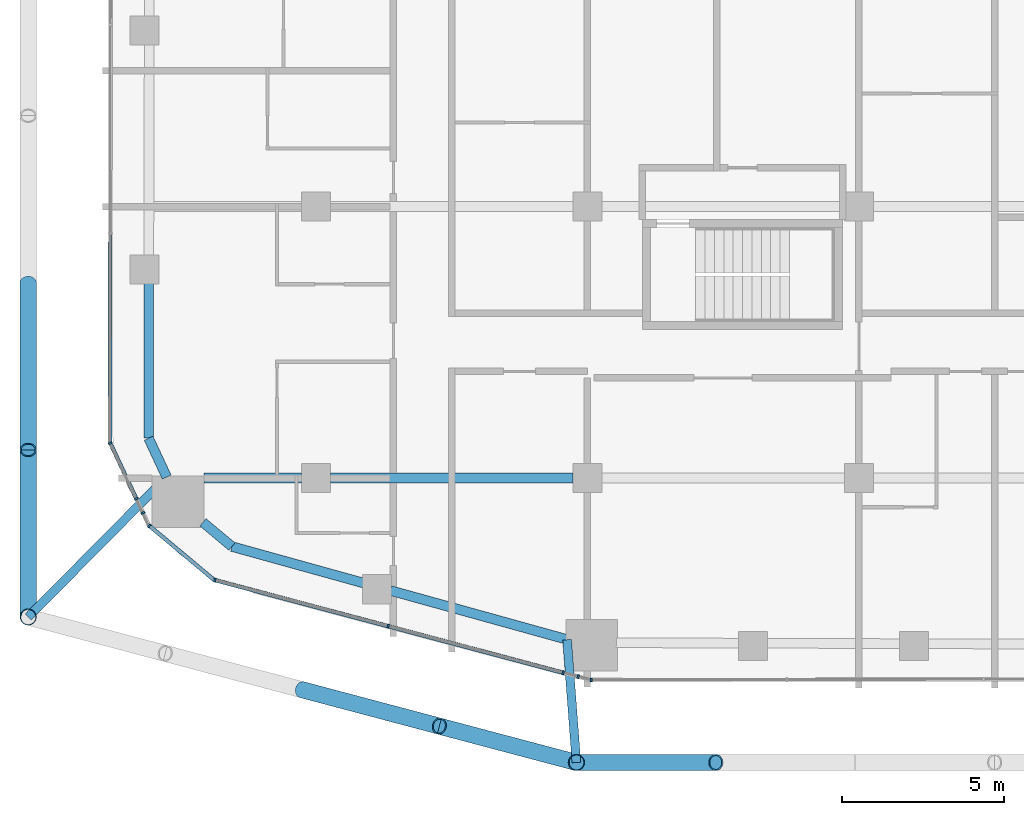
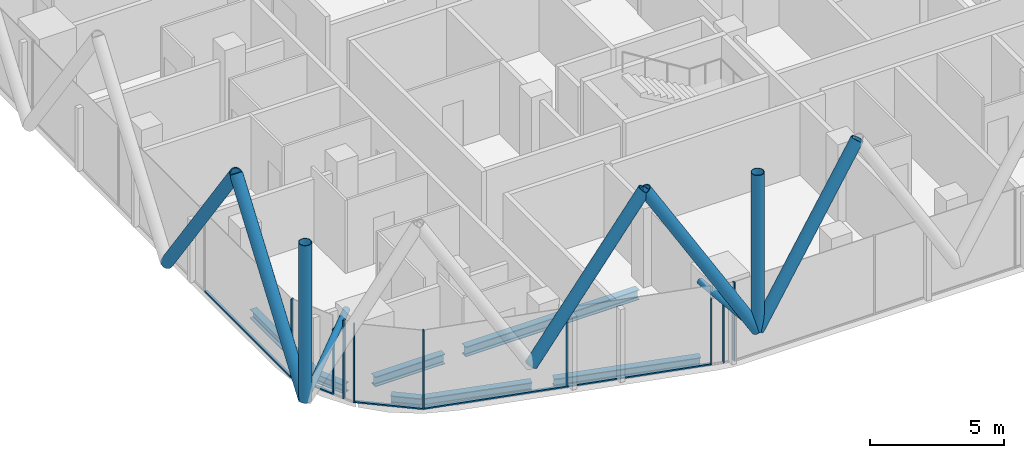
# One storey, part 2 of 33: 23 members, 7 beams, 9 elements without a shape of their own.
"""IFC4 building model written with IfcOpenShell, lengths in metres."""

import ifcopenshell
import ifcopenshell.guid

model = None  # the IFC model being written
_history = None  # IfcOwnerHistory: only IFC2X3 demands one
_inside = {}  # id of a spatial element -> (the spatial element, [elements in it])
_under = {}  # id of a project, library or spatial element -> (it, [spatial elements below it])
_declared = {}  # id of a project -> (the project, [libraries it declares])
_typed = {}  # id of a type object -> (the type object, [elements of that type])
_made_of = {}  # id of a material, layer set ... -> (it, [elements and type objects made of it])


def new_model(schema):
    """Start an empty IFC model of exactly this schema.

    Asked for "IFC4X3", IfcOpenShell would pick the latest addendum, in which some entities
    have other attributes; the version numbers below select the first issue.
    IFC2X3 requires an IfcOwnerHistory on every rooted entity: one is made here for all.
    """
    global model, _history
    if schema == "IFC4X3":
        model = ifcopenshell.file(schema_version=(4, 3, 0, 0))
    else:
        model = ifcopenshell.file(schema=schema)
    _inside.clear()
    _under.clear()
    _declared.clear()
    _typed.clear()
    _made_of.clear()
    _history = None
    if model.schema == "IFC2X3":
        org = make("IfcOrganization", Name="unknown")
        user = make(
            "IfcPersonAndOrganization",
            ThePerson=make("IfcPerson", FamilyName="unknown"),
            TheOrganization=org,
        )
        app = make(
            "IfcApplication",
            ApplicationDeveloper=org,
            Version="unknown",
            ApplicationFullName="unknown",
            ApplicationIdentifier="unknown",
        )
        _history = make(
            "IfcOwnerHistory",
            OwningUser=user,
            OwningApplication=app,
            ChangeAction="ADDED",
            CreationDate=0,
        )
    return model


def make(cls, **values):
    """One entity of the class cls with the attributes given. An attribute that is None is left unset."""
    return model.create_entity(
        cls, **{name: value for name, value in values.items() if value is not None}
    )


def rooted(cls, **values):
    """An entity with a GlobalId (a new one), such as an element, a storey or a relation."""
    return make(cls, GlobalId=ifcopenshell.guid.new(), OwnerHistory=_history, **values)


def si_unit(unit_type, name, prefix=None):
    """IfcSIUnit, for example si_unit("LENGTHUNIT", "METRE", prefix="MILLI")."""
    return make("IfcSIUnit", UnitType=unit_type, Prefix=prefix, Name=name)


def assignment(units):
    """IfcUnitAssignment: the units of a project."""
    return None if units is None else make("IfcUnitAssignment", Units=units)


def point(xyz):
    """IfcCartesianPoint."""
    return None if xyz is None else make("IfcCartesianPoint", Coordinates=xyz)


def direction(xyz):
    """IfcDirection."""
    return None if xyz is None else make("IfcDirection", DirectionRatios=xyz)


def frame(location, z_axis=None, x_axis=None):
    """IfcAxis2Placement3D, a coordinate frame: its origin and axes. An axis left out is left unset."""
    return make(
        "IfcAxis2Placement3D",
        Location=point(location),
        Axis=direction(z_axis),
        RefDirection=direction(x_axis),
    )


def frame_2d(location, x_axis=None):
    """IfcAxis2Placement2D, a coordinate frame in the plane: its origin and x axis."""
    return make(
        "IfcAxis2Placement2D", Location=point(location), RefDirection=direction(x_axis)
    )


def origin():
    """The frame at (0, 0, 0) with its axes left unset."""
    return frame((0.0, 0.0, 0.0))


def origin_2d():
    """The frame at (0, 0) in the plane with its x axis left unset."""
    return frame_2d((0.0, 0.0))


def place(relative_to, where):
    """IfcLocalPlacement: puts the frame where relative to a parent placement (None: the world)."""
    return make(
        "IfcLocalPlacement", PlacementRelTo=relative_to, RelativePlacement=where
    )


def context(
    kind, dimensions, precision=None, world=None, true_north=None, identifier=None
):
    """IfcGeometricRepresentationContext, for example the 3D "Model" context."""
    return make(
        "IfcGeometricRepresentationContext",
        ContextIdentifier=identifier,
        ContextType=kind,
        CoordinateSpaceDimension=dimensions,
        Precision=precision,
        WorldCoordinateSystem=world,
        TrueNorth=true_north,
    )


def subcontext(parent, identifier, kind, view, scale=None):
    """IfcGeometricRepresentationSubContext, for example "Body" below "Model"."""
    return make(
        "IfcGeometricRepresentationSubContext",
        ContextIdentifier=identifier,
        ContextType=kind,
        ParentContext=parent,
        TargetScale=scale,
        TargetView=view,
    )


def project(units=None, contexts=None):
    """IfcProject with its units and contexts."""
    return rooted(
        "IfcProject",
        Name="project",
        RepresentationContexts=contexts,
        UnitsInContext=assignment(units),
    )


def spatial(cls, under=None, at=None, **own):
    """A site, building, storey or space (cls), placed at a placement, below another one or the project."""
    s = rooted(cls, ObjectPlacement=at, **own)
    if under is not None:
        _under.setdefault(under.id(), (under, []))[1].append(s)
    return s


def profile(cls, at=None, kind="AREA", **sizes):
    """A parametric profile (cls). Its sizes go by their IFC names, for example OverallWidth=200.0."""
    return make(cls, ProfileType=kind, Position=at, **sizes)


def rectangle(**sizes):
    """IfcRectangleProfileDef."""
    return profile("IfcRectangleProfileDef", **sizes)


def hollow_circle(**sizes):
    """IfcCircleHollowProfileDef."""
    return profile("IfcCircleHollowProfileDef", **sizes)


def i_section(**sizes):
    """IfcIShapeProfileDef."""
    return profile("IfcIShapeProfileDef", **sizes)


def extrude(swept, where, along, depth):
    """IfcExtrudedAreaSolid: the profile swept, set in the frame where, extruded along a direction by depth."""
    return make(
        "IfcExtrudedAreaSolid",
        SweptArea=swept,
        Position=where,
        ExtrudedDirection=direction(along),
        Depth=depth,
    )


def shape(context_of_items, identifier, shape_type, items):
    """IfcShapeRepresentation: the items that make up one representation, for example the "Body"."""
    return make(
        "IfcShapeRepresentation",
        ContextOfItems=context_of_items,
        RepresentationIdentifier=identifier,
        RepresentationType=shape_type,
        Items=items,
    )


def material(Name=None, Category=None):
    """IfcMaterial."""
    return make("IfcMaterial", Name=Name, Category=Category)


def layer(
    of_material, thickness, ventilated=None, Name=None, Category=None, Priority=None
):
    """IfcMaterialLayer: one layer of a wall or slab, of a material (None: an air gap)."""
    return make(
        "IfcMaterialLayer",
        Material=of_material,
        LayerThickness=thickness,
        IsVentilated=ventilated,
        Name=Name,
        Category=Category,
        Priority=Priority,
    )


def layer_set(layers, Name=None):
    """IfcMaterialLayerSet."""
    return make("IfcMaterialLayerSet", MaterialLayers=layers, LayerSetName=Name)


def material_profile(
    of_material, cross_section, Name=None, Category=None, Priority=None
):
    """IfcMaterialProfile: a cross section and its material."""
    return make(
        "IfcMaterialProfile",
        Name=Name,
        Material=of_material,
        Profile=cross_section,
        Priority=Priority,
        Category=Category,
    )


def profile_set(profiles, Name=None, composite=None):
    """IfcMaterialProfileSet."""
    return make(
        "IfcMaterialProfileSet",
        Name=Name,
        MaterialProfiles=profiles,
        CompositeProfile=composite,
    )


def made_of(thing, what):
    """Note that an element or type object is made of a material, layer set ...; save() writes the relation."""
    if what is not None:
        _made_of.setdefault(what.id(), (what, []))[1].append(thing)
    return thing


def type_object(cls, material=None, **own):
    """A type object (cls), such as IfcWallType, which elements share."""
    return made_of(rooted(cls, **own), material)


def element(
    cls,
    number,
    at=None,
    inside=None,
    cuts=None,
    type_object=None,
    material=None,
    context=None,
    identifier="Body",
    shape_type=None,
    held_by="IfcProductDefinitionShape",
    body=None,
    shapes=None,
    **own,
):
    """One element of the class cls, such as IfcWall. Its Tag is "e" and its number.

    at: its placement. inside: the storey or other place that contains it. cuts: it is an
    opening in that element (IfcRelVoidsElement). A single representation is given by context,
    identifier, shape_type and body (its items); several are given by shapes. held_by: the class
    of the entity that holds the representations. save() writes the other relations.
    """
    e = rooted(cls, Tag="e%d" % number, ObjectPlacement=at, **own)
    if body is not None:
        shapes = [shape(context, identifier, shape_type, body)]
    if shapes is not None:
        e.Representation = make(held_by, Representations=shapes)
    if inside is not None:
        _inside.setdefault(inside.id(), (inside, []))[1].append(e)
    if cuts is not None:
        rooted(
            "IfcRelVoidsElement", RelatingBuildingElement=cuts, RelatedOpeningElement=e
        )
    if type_object is not None:
        _typed.setdefault(type_object.id(), (type_object, []))[1].append(e)
    return made_of(e, material)


def aggregate(whole, parts):
    """IfcRelAggregates: a whole, such as a stair, and the parts it consists of."""
    return rooted("IfcRelAggregates", RelatingObject=whole, RelatedObjects=parts)


def save(model, path):
    """Write the relations noted so far, then the file.

    IfcRelAggregates (storeys below a building ...), IfcRelContainedInSpatialStructure (elements
    in a storey), IfcRelDefinesByType, IfcRelAssociatesMaterial and IfcRelDeclares: one each for
    every whole, place, type object, material and project.
    """
    for whole, parts in _under.values():
        aggregate(whole, parts)
    for where, things in _inside.values():
        rooted(
            "IfcRelContainedInSpatialStructure",
            RelatedElements=things,
            RelatingStructure=where,
        )
    for kind, things in _typed.values():
        rooted("IfcRelDefinesByType", RelatedObjects=things, RelatingType=kind)
    for what, things in _made_of.values():
        rooted("IfcRelAssociatesMaterial", RelatedObjects=things, RelatingMaterial=what)
    for by, libraries in _declared.values():
        rooted("IfcRelDeclares", RelatingContext=by, RelatedDefinitions=libraries)
    model.write(path)


model = new_model("IFC4")

# Units and contexts
model_context = context("Model", 3, precision=1e-05, world=origin(), true_north=direction((0.0, 1.0)))
body_context = subcontext(model_context, "Body", "Model", "MODEL_VIEW")
ifc_project = project(units=[si_unit("LENGTHUNIT", "METRE"), si_unit("AREAUNIT", "SQUARE_METRE"), si_unit("VOLUMEUNIT", "CUBIC_METRE"), si_unit("PLANEANGLEUNIT", "RADIAN"), si_unit("MASSUNIT", "GRAM", prefix="KILO")], contexts=[model_context])

# Site, building, storey
site_placement = place(None, origin())
site = spatial("IfcSite", under=ifc_project, at=site_placement, CompositionType="ELEMENT")
building_placement = place(site_placement, origin())
building = spatial("IfcBuilding", under=site, at=building_placement, Name="Marenta Gate Hotel Tower", CompositionType="ELEMENT")
storey_placement = place(building_placement, frame((0.0, 0.0, 137.300048828125)))
storey = spatial("IfcBuildingStorey", under=building, at=storey_placement, Name="L31", CompositionType="ELEMENT", Elevation=137.300048828125)

# Members
ifc_material_1 = material(Name="Steel S355J2W", Category="steel")
ifc_material_profile_1 = material_profile(ifc_material_1, hollow_circle(Radius=0.25390625, WallThickness=0.02490234375, at=origin_2d()), Name="CHS 508x25")
ifc_profile_set_1 = profile_set([ifc_material_profile_1], Name="Steel S355J2W")
member_type_1 = type_object("IfcMemberType", Name="Diagrid corner post Z2 CHS 508x25", PredefinedType="POST", material=ifc_profile_set_1)
for number, where, z_axis, x_axis, name in (
    (1, (-12.93896484375, -25.60009765625, 3.139892578125), (0.0, 0.0, 1.0), (1.0, 0.0, 0.0), "L31-DR-4"),
    (2, (-29.89990234375, -21.10009765625, 3.139892578125), (0.0, 0.0, 1.0), (1.0, 0.0, 0.0), "L31-DR-5"),
):
    element("IfcMember", number, at=place(storey_placement, frame(where, z_axis=z_axis, x_axis=x_axis)), inside=storey, type_object=member_type_1, Name=name, PredefinedType="POST", context=body_context, shape_type="SweptSolid", body=[
        extrude(hollow_circle(Radius=0.25390625, WallThickness=0.02490234375, at=origin_2d()), origin(), (0.0, 0.0, 1.0), 7.199951171875),
    ])
ifc_material_2 = material(Name="Steel S355J2W", Category="steel")
ifc_material_profile_2 = material_profile(ifc_material_2, hollow_circle(Radius=0.25390625, WallThickness=0.0400390625, at=origin_2d()), Name="CHS 508x40")
ifc_profile_set_2 = profile_set([ifc_material_profile_2], Name="Steel S355J2W")
member_type_2 = type_object("IfcMemberType", Name="Diagrid diagonal Z2 CHS 508x40", PredefinedType="BRACE", material=ifc_profile_set_2)
member_1_placement = place(storey_placement, frame((-12.93896484375, -25.60009765625, 3.139892578125), z_axis=(0.513883902774, 0.0, 0.857859740558), x_axis=(0.0, 1.0, 0.0)))
element("IfcMember", 3, at=member_1_placement, inside=storey, type_object=member_type_2, Name="L31-DG-20", PredefinedType="BRACE", context=body_context, shape_type="SweptSolid", body=[
    extrude(hollow_circle(Radius=0.25390625, WallThickness=0.0400390625, at=origin_2d()), origin(), (0.0, 0.0, 1.0), 8.392822265625),
])
for number, where, z_axis, x_axis, name in (
    (4, (-12.93896484375, -25.60009765625, 3.139892578125), (-0.502924018666, 0.133433548941, 0.853968921838), (-0.256443187528, -0.96655930577, 0.0), "L31-DG-21"),
    (5, (-21.41943359375, -23.35009765625, 3.139892578125), (0.502924018666, -0.133433548941, 0.853968921838), (0.256443187528, 0.96655930577, 0.0), "L31-DG-22"),
):
    element("IfcMember", number, at=place(storey_placement, frame(where, z_axis=z_axis, x_axis=x_axis)), inside=storey, type_object=member_type_2, Name=name, PredefinedType="BRACE", context=body_context, shape_type="SweptSolid", body=[
        extrude(hollow_circle(Radius=0.25390625, WallThickness=0.0400390625, at=origin_2d()), origin(), (0.0, 0.0, 1.0), 8.43115234375),
    ])
member_2_placement = place(storey_placement, frame((-29.89990234375, -21.10009765625, 3.139892578125), z_axis=(0.0, 0.583260841117, 0.812284919975), x_axis=(-1.0, 0.0, 0.0)))
element("IfcMember", 6, at=member_2_placement, inside=storey, type_object=member_type_2, Name="L31-DG-25", PredefinedType="BRACE", context=body_context, shape_type="SweptSolid", body=[
    extrude(hollow_circle(Radius=0.25390625, WallThickness=0.0400390625, at=origin_2d()), origin(), (0.0, 0.0, 1.0), 8.86376953125),
])
member_3_placement = place(storey_placement, frame((-29.89990234375, -10.760009765625, 3.139892578125), z_axis=(0.0, -0.583279014058, 0.812271870595), x_axis=(1.0, 0.0, 0.0)))
element("IfcMember", 7, at=member_3_placement, inside=storey, type_object=member_type_2, Name="L31-DG-26", PredefinedType="BRACE", context=body_context, shape_type="SweptSolid", body=[
    extrude(hollow_circle(Radius=0.25390625, WallThickness=0.0400390625, at=origin_2d()), origin(), (0.0, 0.0, 1.0), 8.864013671875),
])

# Beams
ifc_material_3 = material(Name="Steel S355", Category="steel")
ifc_material_profile_3 = material_profile(ifc_material_3, i_section(OverallWidth=0.300048828125, OverallDepth=0.39990234375, WebThickness=0.013427734375, FlangeThickness=0.02392578125, FilletRadius=0.027099609375, at=origin_2d()), Name="HEB 400")
ifc_profile_set_3 = profile_set([ifc_material_profile_3], Name="Steel S355")
beam_type_1 = type_object("IfcBeamType", Name="Edge beam HEB 400", PredefinedType="SPANDREL", material=ifc_profile_set_3)
beam_1_placement = place(storey_placement, frame((-13.227783203125, -21.794677734375, -0.4599609375), z_axis=(-0.963615860477, 0.267290990189, 0.0), x_axis=(-0.267290990189, -0.963615860477, 0.0)))
element("IfcBeam", 8, at=beam_1_placement, inside=storey, type_object=beam_type_1, Name="L31-EB-1", PredefinedType="SPANDREL", context=body_context, shape_type="SweptSolid", body=[
    extrude(i_section(OverallWidth=0.300048828125, OverallDepth=0.39990234375, WebThickness=0.013427734375, FlangeThickness=0.02392578125, FilletRadius=0.027099609375, at=origin_2d()), origin(), (0.0, 0.0, 1.0), 5.674072265625),
])
beam_2_placement = place(storey_placement, frame((-19.518310546875, -20.0498046875, -0.4599609375), z_axis=(-0.963630213062, 0.267239242016, 0.0), x_axis=(-0.267239242016, -0.963630213062, 0.0)))
element("IfcBeam", 9, at=beam_2_placement, inside=storey, type_object=beam_type_1, Name="L31-EB-2", PredefinedType="SPANDREL", context=body_context, shape_type="SweptSolid", body=[
    extrude(i_section(OverallWidth=0.300048828125, OverallDepth=0.39990234375, WebThickness=0.013427734375, FlangeThickness=0.02392578125, FilletRadius=0.027099609375, at=origin_2d()), origin(), (0.0, 0.0, 1.0), 4.232666015625),
])
beam_3_placement = place(storey_placement, frame((-23.596923828125, -18.918701171875, -0.4599609375), z_axis=(-0.767073132856, 0.641559668972, 0.0), x_axis=(-0.641559668972, -0.767073132856, 0.0)))
element("IfcBeam", 10, at=beam_3_placement, inside=storey, type_object=beam_type_1, Name="L31-EB-3", PredefinedType="SPANDREL", context=body_context, shape_type="SweptSolid", body=[
    extrude(i_section(OverallWidth=0.300048828125, OverallDepth=0.39990234375, WebThickness=0.013427734375, FlangeThickness=0.02392578125, FilletRadius=0.027099609375, at=origin_2d()), origin(), (0.0, 0.0, 1.0), 1.1689453125),
])
beam_4_placement = place(storey_placement, frame((-25.613525390625, -16.769287109375, -0.4599609375), z_axis=(-0.423207780269, 0.906032656541, 0.0), x_axis=(-0.906032656541, -0.423207780269, 0.0)))
element("IfcBeam", 11, at=beam_4_placement, inside=storey, type_object=beam_type_1, Name="L31-EB-4", PredefinedType="SPANDREL", context=body_context, shape_type="SweptSolid", body=[
    extrude(i_section(OverallWidth=0.300048828125, OverallDepth=0.39990234375, WebThickness=0.013427734375, FlangeThickness=0.02392578125, FilletRadius=0.027099609375, at=origin_2d()), origin(), (0.0, 0.0, 1.0), 1.326904296875),
])
beam_5_placement = place(storey_placement, frame((-26.175048828125, -15.567138671875, -0.4599609375), z_axis=(0.001371810517, 0.999999059068, 0.0), x_axis=(-0.999999059068, 0.001371810517, 0.0)))
element("IfcBeam", 12, at=beam_5_placement, inside=storey, type_object=beam_type_1, Name="L31-EB-5", PredefinedType="SPANDREL", context=body_context, shape_type="SweptSolid", body=[
    extrude(i_section(OverallWidth=0.300048828125, OverallDepth=0.39990234375, WebThickness=0.013427734375, FlangeThickness=0.02392578125, FilletRadius=0.027099609375, at=origin_2d()), origin(), (0.0, 0.0, 1.0), 4.80517578125),
])

# Members
ifc_material_4 = material(Name="Steel S355J2W", Category="steel")
ifc_material_profile_4 = material_profile(ifc_material_4, hollow_circle(Radius=0.136474609375, WallThickness=0.012451171875, at=origin_2d()), Name="CHS 273x12.5")
ifc_profile_set_4 = profile_set([ifc_material_profile_4], Name="Steel S355J2W")
member_type_3 = type_object("IfcMemberType", Name="Floor tie CHS 273x12.5", PredefinedType="STRUT", material=ifc_profile_set_4)
member_4_placement = place(storey_placement, frame((-12.93896484375, -25.60009765625, 3.139892578125), z_axis=(-0.075691735753, 0.997131265751, 0.0), x_axis=(-0.997131265751, -0.075691735753, 0.0)))
element("IfcMember", 13, at=member_4_placement, inside=storey, type_object=member_type_3, Name="L31-DR-10", PredefinedType="STRUT", context=body_context, shape_type="SweptSolid", body=[
    extrude(hollow_circle(Radius=0.136474609375, WallThickness=0.012451171875, at=origin_2d()), origin(), (0.0, 0.0, 1.0), 3.809326171875),
])
member_5_placement = place(storey_placement, frame((-29.89990234375, -21.10009765625, 3.139892578125), z_axis=(0.703467207322, 0.710727717359, 0.0), x_axis=(-0.710727717359, 0.703467207322, 0.0)))
element("IfcMember", 14, at=member_5_placement, inside=storey, type_object=member_type_3, Name="L31-DR-11", PredefinedType="STRUT", context=body_context, shape_type="SweptSolid", body=[
    extrude(hollow_circle(Radius=0.136474609375, WallThickness=0.012451171875, at=origin_2d()), origin(), (0.0, 0.0, 1.0), 6.086181640625),
])

# Beams
ifc_material_5 = material(Name="Steel S355", Category="steel")
ifc_material_profile_5 = material_profile(ifc_material_5, i_section(OverallWidth=0.300048828125, OverallDepth=0.449951171875, WebThickness=0.013916015625, FlangeThickness=0.02587890625, FilletRadius=0.027099609375, at=origin_2d()), Name="HEB 450")
ifc_profile_set_5 = profile_set([ifc_material_profile_5], Name="Steel S355")
beam_type_2 = type_object("IfcBeamType", Name="Girder HEB 450", PredefinedType="BEAM", material=ifc_profile_set_5)
beam_6_placement = place(storey_placement, frame((-24.462890625, -16.800048828125, -0.485107421875), z_axis=(1.0, 0.0, 0.0), x_axis=(0.0, 1.0, 0.0)))
element("IfcBeam", 15, at=beam_6_placement, inside=storey, type_object=beam_type_2, Name="L31-GD-1", PredefinedType="BEAM", context=body_context, shape_type="SweptSolid", body=[
    extrude(i_section(OverallWidth=0.300048828125, OverallDepth=0.449951171875, WebThickness=0.013916015625, FlangeThickness=0.02587890625, FilletRadius=0.027099609375, at=origin_2d()), origin(), (0.0, 0.0, 1.0), 3.012939453125),
])
beam_7_placement = place(storey_placement, frame((-20.550048828125, -16.800048828125, -0.485107421875), z_axis=(1.0, 0.0, 0.0), x_axis=(0.0, 1.0, 0.0)))
element("IfcBeam", 16, at=beam_7_placement, inside=storey, type_object=beam_type_2, Name="L31-GD-2", PredefinedType="BEAM", context=body_context, shape_type="SweptSolid", body=[
    extrude(i_section(OverallWidth=0.300048828125, OverallDepth=0.449951171875, WebThickness=0.013916015625, FlangeThickness=0.02587890625, FilletRadius=0.027099609375, at=origin_2d()), origin(), (0.0, 0.0, 1.0), 7.5),
])

# Curtain wall, member
ifc_material_6 = material(Name="Tinted insulated glass in bronze anodised frame", Category="glass")
ifc_layer = layer(ifc_material_6, 0.1201171875)
ifc_layer_set = layer_set([ifc_layer], Name="Tinted insulated glass in bronze anodised frame")
curtain_wall_type = type_object("IfcCurtainWallType", Name="Tower unitised curtain wall CW1", PredefinedType="NOTDEFINED", material=ifc_layer_set)
curtain_wall_1_placement = place(storey_placement, origin())
curtain_wall_1 = element("IfcCurtainWall", 17, at=curtain_wall_1_placement, inside=storey, type_object=curtain_wall_type, Name="CW1 run G05", PredefinedType="NOTDEFINED")
ifc_material_7 = material(Name="Bronze anodised aluminium", Category="aluminium")
ifc_material_profile_6 = material_profile(ifc_material_7, rectangle(XDim=0.1201171875, YDim=0.06005859375, at=origin_2d()), Name="Mullion CW1 60x120 bronze anodised aluminium")
ifc_profile_set_6 = profile_set([ifc_material_profile_6], Name="Bronze anodised aluminium")
member_type_4 = type_object("IfcMemberType", Name="Mullion CW1 60x120 bronze anodised aluminium", PredefinedType="MULLION", material=ifc_profile_set_6)
member_6_placement = place(storey_placement, frame((-27.3603515625, -15.720947265625, 0.0), z_axis=(0.0, 0.0, 1.0), x_axis=(0.90596765607, 0.423346909938, 0.0)))
member_6 = element("IfcMember", 18, at=member_6_placement, type_object=member_type_4, Name="CW1 mullion 1", PredefinedType="MULLION", context=body_context, shape_type="SweptSolid", body=[
    extrude(rectangle(XDim=0.1201171875, YDim=0.06005859375, at=origin_2d()), origin(), (0.0, 0.0, 1.0), 3.599853515625),
])

curtain_wall_2_placement = place(storey_placement, origin())
curtain_wall_2 = element("IfcCurtainWall", 19, at=curtain_wall_2_placement, inside=storey, type_object=curtain_wall_type, Name="CW1 run G06", PredefinedType="NOTDEFINED")
member_7_placement = place(storey_placement, frame((-26.556884765625, -17.4404296875, 0.0), z_axis=(0.0, 0.0, 1.0), x_axis=(0.905960772222, 0.423361641148, 0.0)))
member_7 = element("IfcMember", 20, at=member_7_placement, type_object=member_type_4, Name="CW1 mullion 1", PredefinedType="MULLION", context=body_context, shape_type="SweptSolid", body=[
    extrude(rectangle(XDim=0.1201171875, YDim=0.06005859375, at=origin_2d()), origin(), (0.0, 0.0, 1.0), 3.00048828125),
])
aggregate(curtain_wall_2, [member_7])

curtain_wall_3_placement = place(storey_placement, origin())
curtain_wall_3 = element("IfcCurtainWall", 21, at=curtain_wall_3_placement, inside=storey, type_object=curtain_wall_type, Name="CW1 run G07", PredefinedType="NOTDEFINED")
member_8_placement = place(storey_placement, frame((-26.352294921875, -17.8779296875, 0.0), z_axis=(0.0, 0.0, 1.0), x_axis=(0.906001027936, 0.42327548639, 0.0)))
member_8 = element("IfcMember", 22, at=member_8_placement, type_object=member_type_4, Name="CW1 mullion 1", PredefinedType="MULLION", context=body_context, shape_type="SweptSolid", body=[
    extrude(rectangle(XDim=0.1201171875, YDim=0.06005859375, at=origin_2d()), origin(), (0.0, 0.0, 1.0), 3.599853515625),
])
aggregate(curtain_wall_3, [member_8])

curtain_wall_4_placement = place(storey_placement, origin())
curtain_wall_4 = element("IfcCurtainWall", 23, at=curtain_wall_4_placement, inside=storey, type_object=curtain_wall_type, Name="CW1 run G08", PredefinedType="NOTDEFINED")
member_9_placement = place(storey_placement, frame((-26.152099609375, -18.27685546875, 0.0), z_axis=(0.0, 0.0, 1.0), x_axis=(0.641512168126, 0.767112858807, 0.0)))
member_9 = element("IfcMember", 24, at=member_9_placement, type_object=member_type_4, Name="CW1 mullion 1", PredefinedType="MULLION", context=body_context, shape_type="SweptSolid", body=[
    extrude(rectangle(XDim=0.1201171875, YDim=0.06005859375, at=origin_2d()), origin(), (0.0, 0.0, 1.0), 3.599853515625),
])

# Curtain wall, members
curtain_wall_5_placement = place(storey_placement, origin())
curtain_wall_5 = element("IfcCurtainWall", 25, at=curtain_wall_5_placement, inside=storey, type_object=curtain_wall_type, Name="CW1 run G09", PredefinedType="NOTDEFINED")
member_10_placement = place(storey_placement, frame((-24.12451171875, -19.955810546875, 0.0), z_axis=(0.0, 0.0, 1.0), x_axis=(0.257143521209, 0.966373224743, 0.0)))
member_10 = element("IfcMember", 26, at=member_10_placement, type_object=member_type_4, Name="CW1 mullion 1", PredefinedType="MULLION", context=body_context, shape_type="SweptSolid", body=[
    extrude(rectangle(XDim=0.1201171875, YDim=0.06005859375, at=origin_2d()), origin(), (0.0, 0.0, 1.0), 3.599853515625),
])
member_11_placement = place(storey_placement, frame((-18.765380859375, -21.3818359375, 0.0), z_axis=(0.0, 0.0, 1.0), x_axis=(0.257143521209, 0.966373224743, 0.0)))
member_11 = element("IfcMember", 27, at=member_11_placement, type_object=member_type_4, Name="CW1 mullion 2", PredefinedType="MULLION", context=body_context, shape_type="SweptSolid", body=[
    extrude(rectangle(XDim=0.1201171875, YDim=0.06005859375, at=origin_2d()), origin(), (0.0, 0.0, 1.0), 3.599853515625),
])

# Curtain wall, member
curtain_wall_6_placement = place(storey_placement, origin())
curtain_wall_6 = element("IfcCurtainWall", 28, at=curtain_wall_6_placement, inside=storey, type_object=curtain_wall_type, Name="CW1 run G10", PredefinedType="NOTDEFINED")
member_12_placement = place(storey_placement, frame((-13.348388671875, -22.8232421875, 0.0), z_axis=(0.0, 0.0, 1.0), x_axis=(0.257026845764, 0.966404263523, 0.0)))
member_12 = element("IfcMember", 29, at=member_12_placement, type_object=member_type_4, Name="CW1 mullion 1", PredefinedType="MULLION", context=body_context, shape_type="SweptSolid", body=[
    extrude(rectangle(XDim=0.1201171875, YDim=0.06005859375, at=origin_2d()), origin(), (0.0, 0.0, 1.0), 3.00048828125),
])
aggregate(curtain_wall_6, [member_12])

curtain_wall_7_placement = place(storey_placement, origin())
curtain_wall_7 = element("IfcCurtainWall", 30, at=curtain_wall_7_placement, inside=storey, type_object=curtain_wall_type, Name="CW1 run G11", PredefinedType="NOTDEFINED")
member_13_placement = place(storey_placement, frame((-12.884765625, -22.946533203125, 0.0), z_axis=(0.0, 0.0, 1.0), x_axis=(0.257279256414, 0.966337096576, 0.0)))
member_13 = element("IfcMember", 31, at=member_13_placement, type_object=member_type_4, Name="CW1 mullion 1", PredefinedType="MULLION", context=body_context, shape_type="SweptSolid", body=[
    extrude(rectangle(XDim=0.1201171875, YDim=0.06005859375, at=origin_2d()), origin(), (0.0, 0.0, 1.0), 3.599853515625),
])
aggregate(curtain_wall_7, [member_13])

curtain_wall_8_placement = place(storey_placement, origin())
curtain_wall_8 = element("IfcCurtainWall", 32, at=curtain_wall_8_placement, inside=storey, type_object=curtain_wall_type, Name="CW1 run G12", PredefinedType="NOTDEFINED")
member_14_placement = place(storey_placement, frame((-12.475830078125, -23.04736328125, 0.0), z_axis=(0.0, 0.0, 1.0), x_axis=(-0.00136470383, 0.999999068791, 0.0)))
member_14 = element("IfcMember", 33, at=member_14_placement, type_object=member_type_4, Name="CW1 mullion 1", PredefinedType="MULLION", context=body_context, shape_type="SweptSolid", body=[
    extrude(rectangle(XDim=0.1201171875, YDim=0.06005859375, at=origin_2d()), origin(), (0.0, 0.0, 1.0), 3.599853515625),
])
aggregate(curtain_wall_8, [member_14])

curtain_wall_9_placement = place(storey_placement, origin())
curtain_wall_9 = element("IfcCurtainWall", 34, at=curtain_wall_9_placement, inside=storey, type_object=curtain_wall_type, Name="CW1 run G04", PredefinedType="NOTDEFINED")
ifc_material_8 = material(Name="Bronze anodised aluminium", Category="aluminium")
ifc_material_profile_7 = material_profile(ifc_material_8, rectangle(XDim=0.1201171875, YDim=0.06005859375, at=origin_2d()), Name="Transom CW1 60x120 bronze anodised aluminium")
ifc_profile_set_7 = profile_set([ifc_material_profile_7], Name="Bronze anodised aluminium")
member_type_5 = type_object("IfcMemberType", Name="Transom CW1 60x120 bronze anodised aluminium", PredefinedType="USERDEFINED", material=ifc_profile_set_7)
member_15_placement = place(storey_placement, frame((-27.363037109375, -9.263916015625, 0.030029296875), z_axis=(-0.001556743377, -0.999998788274, 0.0), x_axis=(0.999998788274, -0.001556743377, 0.0)))
member_15 = element("IfcMember", 35, at=member_15_placement, type_object=member_type_5, Name="CW1 transom 6.1", ObjectType="TRANSOM", PredefinedType="USERDEFINED", context=body_context, shape_type="SweptSolid", body=[
    extrude(rectangle(XDim=0.1201171875, YDim=0.06005859375, at=origin_2d()), origin(), (0.0, 0.0, 1.0), 6.429931640625),
])
aggregate(curtain_wall_9, [member_15])

# Member
member_16_placement = place(storey_placement, frame((-27.34765625, -15.748046875, 0.030029296875), z_axis=(0.423307157051, -0.905986231015, 0.0), x_axis=(0.905986231015, 0.423307157051, 0.0)))
member_16 = element("IfcMember", 36, at=member_16_placement, type_object=member_type_5, Name="CW1 transom 1.1", ObjectType="TRANSOM", PredefinedType="USERDEFINED", context=body_context, shape_type="SweptSolid", body=[
    extrude(rectangle(XDim=0.1201171875, YDim=0.06005859375, at=origin_2d()), origin(), (0.0, 0.0, 1.0), 1.838134765625),
])

aggregate(curtain_wall_1, [member_6, member_16])

member_17_placement = place(storey_placement, frame((-26.12890625, -18.296142578125, 0.030029296875), z_axis=(0.767116735682, -0.641507532175, 0.0), x_axis=(0.641507532175, 0.767116735682, 0.0)))
member_17 = element("IfcMember", 37, at=member_17_placement, type_object=member_type_5, Name="CW1 transom 1.1", ObjectType="TRANSOM", PredefinedType="USERDEFINED", context=body_context, shape_type="SweptSolid", body=[
    extrude(rectangle(XDim=0.1201171875, YDim=0.06005859375, at=origin_2d()), origin(), (0.0, 0.0, 1.0), 2.575439453125),
])

aggregate(curtain_wall_4, [member_9, member_17])

member_18_placement = place(storey_placement, frame((-24.095458984375, -19.963623046875, 0.030029296875), z_axis=(0.966369250889, -0.257158454918, 0.0), x_axis=(0.257158454918, 0.966369250889, 0.0)))
member_18 = element("IfcMember", 38, at=member_18_placement, type_object=member_type_5, Name="CW1 transom 1.1", ObjectType="TRANSOM", PredefinedType="USERDEFINED", context=body_context, shape_type="SweptSolid", body=[
    extrude(rectangle(XDim=0.1201171875, YDim=0.06005859375, at=origin_2d()), origin(), (0.0, 0.0, 1.0), 5.485595703125),
])

member_19_placement = place(storey_placement, frame((-18.736328125, -21.3896484375, 0.030029296875), z_axis=(0.966369990087, -0.257155677089, 0.0), x_axis=(0.257155677089, 0.966369990087, 0.0)))
member_19 = element("IfcMember", 39, at=member_19_placement, type_object=member_type_5, Name="CW1 transom 2.1", ObjectType="TRANSOM", PredefinedType="USERDEFINED", context=body_context, shape_type="SweptSolid", body=[
    extrude(rectangle(XDim=0.1201171875, YDim=0.06005859375, at=origin_2d()), origin(), (0.0, 0.0, 1.0), 5.54541015625),
])

aggregate(curtain_wall_5, [member_10, member_11, member_18, member_19])

save(model, "model.ifc")
